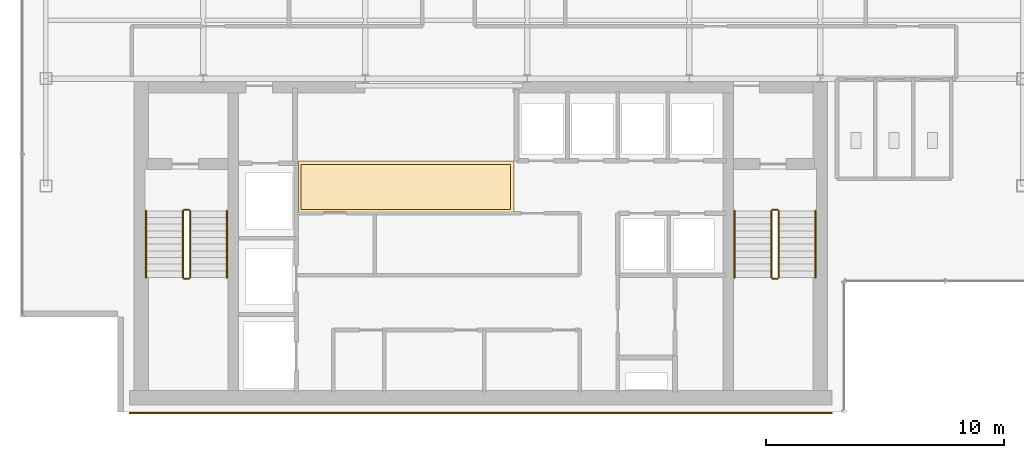
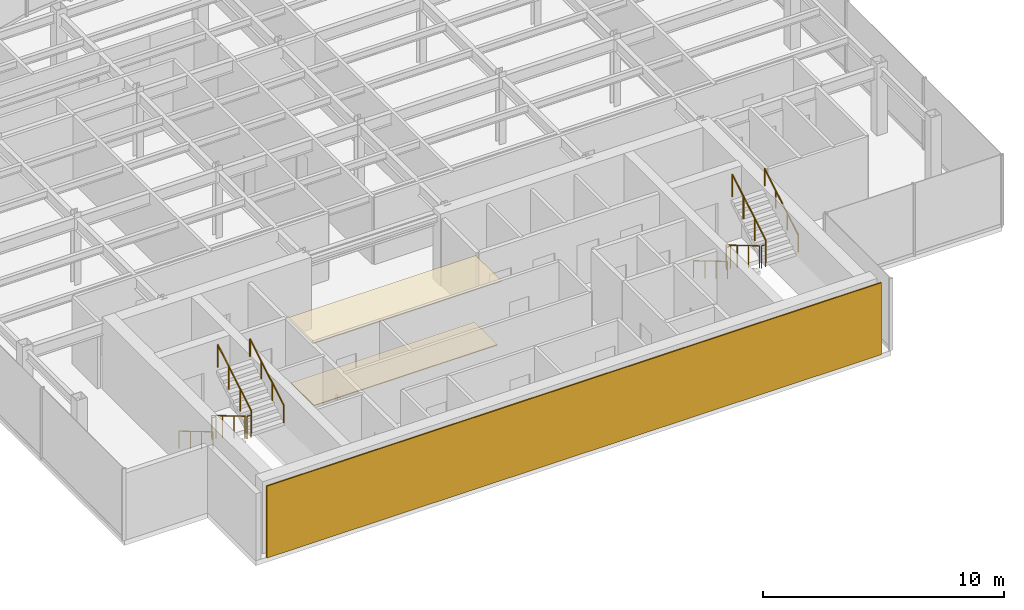
# One storey, part 20 of 22: 12 railings, 3 coverings.
"""IFC4 building model written with IfcOpenShell, lengths in metres."""

from ifc_helpers import new_model, si_unit, derived_unit, direction, frame, origin, origin_2d, place, context, subcontext, project, spatial, polyline, rectangle, circle, outline, extrude, source, transform, mapped, material, layer, layer_set, type_object, element, save


model = new_model("IFC4")

# Units and contexts
model_context = context("Model", 3, precision=1e-05, world=origin(), true_north=direction((0.0, 1.0)))
body_context = subcontext(model_context, "Body", "Model", "MODEL_VIEW")
ifc_project = project(units=[si_unit("LENGTHUNIT", "METRE"), si_unit("AREAUNIT", "SQUARE_METRE"), si_unit("VOLUMEUNIT", "CUBIC_METRE"), si_unit("PLANEANGLEUNIT", "RADIAN"), si_unit("MASSUNIT", "GRAM", prefix="KILO"), derived_unit("THERMALTRANSMITTANCEUNIT", [(si_unit("POWERUNIT", "WATT"), 1), (si_unit("LENGTHUNIT", "METRE"), -2), (si_unit("THERMODYNAMICTEMPERATUREUNIT", "KELVIN"), -1)])], contexts=[model_context])

# Site, building, storey
site_placement = place(None, origin())
site = spatial("IfcSite", under=ifc_project, at=site_placement, CompositionType="ELEMENT")
building_placement = place(site_placement, origin())
building = spatial("IfcBuilding", under=site, at=building_placement, Name="Skarnbrae Concourse Arena and Tower", CompositionType="ELEMENT")
storey_placement = place(building_placement, frame((0.0, 0.0, 192.25)))
storey = spatial("IfcBuildingStorey", under=building, at=storey_placement, Name="L49", CompositionType="ELEMENT", Elevation=192.25)

# Coverings
ifc_material_1 = material(Name="Mineral fibre acoustic ceiling tile", Category="other")
ifc_layer_1 = layer(ifc_material_1, 0.0400390625)
ifc_layer_set_1 = layer_set([ifc_layer_1], Name="Mineral fibre acoustic ceiling tile")
covering_type_1 = type_object("IfcCoveringType", Name="COV-CEIL-ACOUSTIC", PredefinedType="CEILING", material=ifc_layer_set_1)
covering_1_placement = place(storey_placement, frame((0.0, 0.0, 3.239990234375)))
element("IfcCovering", 1, at=covering_1_placement, inside=storey, type_object=covering_type_1, Name="L49 Lift lobby acoustic ceiling", PredefinedType="CEILING", context=body_context, shape_type="SweptSolid", body=[
    extrude(outline(polyline([(11.60009765625, 8.39990234375), (20.64990234375, 8.39990234375), (20.64990234375, 10.550048828125), (11.60009765625, 10.550048828125), (11.60009765625, 8.39990234375)])), origin(), (0.0, 0.0, 1.0), 0.0400390625),
])
ifc_material_2 = material(Name="Polished granite terrazzo flooring", Category="masonry")
ifc_layer_2 = layer(ifc_material_2, 0.0400390625)
ifc_layer_set_2 = layer_set([ifc_layer_2], Name="Polished granite terrazzo flooring")
covering_type_2 = type_object("IfcCoveringType", Name="COV-FLOOR-TERRAZZO", PredefinedType="FLOORING", material=ifc_layer_set_2)
covering_2_placement = place(storey_placement, origin())
element("IfcCovering", 2, at=covering_2_placement, inside=storey, type_object=covering_type_2, Name="L49 Lift lobby terrazzo flooring", PredefinedType="FLOORING", context=body_context, shape_type="SweptSolid", body=[
    extrude(outline(polyline([(11.699951171875, 8.5), (20.5, 8.5), (20.5, 10.39990234375), (11.699951171875, 10.39990234375), (11.699951171875, 8.5)])), origin(), (0.0, 0.0, 1.0), 0.0400390625),
])

# Railings
ifc_material_3 = material(Name="Steel CSA G40.21 350W", Category="steel")
railing_type_1 = type_object("IfcRailingType", Name="RAIL-HANDRAIL-900", PredefinedType="HANDRAIL", material=ifc_material_3)
railing_1_placement = place(storey_placement, frame((5.199951171875, 8.449951171875, 0.166015625)))
element("IfcRailing", 3, at=railing_1_placement, inside=storey, type_object=railing_type_1, Name="L49 ST-1 stair handrail 1", PredefinedType="HANDRAIL", context=body_context, shape_type="SweptSolid", body=[
    extrude(circle(Radius=0.02392578125, at=origin_2d()), frame((0.0, 0.0, 0.8759765625), z_axis=(0.0, -0.860339051648, 0.50972219513), x_axis=(1.0, 0.0, 0.0)), (0.0, 0.0, 1.0), 3.254638671875),
    extrude(circle(Radius=0.02099609375, at=origin_2d()), origin(), (0.0, 0.0, 1.0), 0.851806640625),
    extrude(circle(Radius=0.02099609375, at=origin_2d()), frame((0.0, -0.933349609375, 0.552978515625)), (0.0, 0.0, 1.0), 0.851806640625),
    extrude(circle(Radius=0.02099609375, at=origin_2d()), frame((0.0, -1.86669921875, 1.10595703125)), (0.0, 0.0, 1.0), 0.851806640625),
    extrude(circle(Radius=0.02099609375, at=origin_2d()), frame((0.0, -2.800048828125, 1.658935546875)), (0.0, 0.0, 1.0), 0.851806640625),
])
railing_2_placement = place(storey_placement, frame((8.60009765625, 5.64990234375, 1.990966796875)))
element("IfcRailing", 4, at=railing_2_placement, inside=storey, type_object=railing_type_1, Name="L49 ST-1 stair handrail 2", PredefinedType="HANDRAIL", context=body_context, shape_type="SweptSolid", body=[
    extrude(circle(Radius=0.02392578125, at=origin_2d()), frame((0.0, 0.0, 0.8759765625), z_axis=(0.0, 0.860339051648, 0.50972219513), x_axis=(-1.0, 0.0, 0.0)), (0.0, 0.0, 1.0), 3.254638671875),
    extrude(circle(Radius=0.02099609375, at=origin_2d()), origin(), (0.0, 0.0, 1.0), 0.851806640625),
    extrude(circle(Radius=0.02099609375, at=origin_2d()), frame((0.0, 0.933349609375, 0.552978515625)), (0.0, 0.0, 1.0), 0.851806640625),
    extrude(circle(Radius=0.02099609375, at=origin_2d()), frame((0.0, 1.86669921875, 1.10595703125)), (0.0, 0.0, 1.0), 0.851806640625),
    extrude(circle(Radius=0.02099609375, at=origin_2d()), frame((0.0, 2.800048828125, 1.658935546875)), (0.0, 0.0, 1.0), 0.851806640625),
])
railing_3_placement = place(storey_placement, frame((29.89990234375, 8.449951171875, 0.166015625)))
element("IfcRailing", 5, at=railing_3_placement, inside=storey, type_object=railing_type_1, Name="L49 ST-2 stair handrail 1", PredefinedType="HANDRAIL", context=body_context, shape_type="SweptSolid", body=[
    extrude(circle(Radius=0.02392578125, at=origin_2d()), frame((0.0, 0.0, 0.8759765625), z_axis=(0.0, -0.860339051648, 0.50972219513), x_axis=(1.0, 0.0, 0.0)), (0.0, 0.0, 1.0), 3.254638671875),
    extrude(circle(Radius=0.02099609375, at=origin_2d()), origin(), (0.0, 0.0, 1.0), 0.851806640625),
    extrude(circle(Radius=0.02099609375, at=origin_2d()), frame((0.0, -0.933349609375, 0.552978515625)), (0.0, 0.0, 1.0), 0.851806640625),
    extrude(circle(Radius=0.02099609375, at=origin_2d()), frame((0.0, -1.86669921875, 1.10595703125)), (0.0, 0.0, 1.0), 0.851806640625),
    extrude(circle(Radius=0.02099609375, at=origin_2d()), frame((0.0, -2.800048828125, 1.658935546875)), (0.0, 0.0, 1.0), 0.851806640625),
])
railing_4_placement = place(storey_placement, frame((33.300048828125, 5.64990234375, 1.990966796875)))
element("IfcRailing", 6, at=railing_4_placement, inside=storey, type_object=railing_type_1, Name="L49 ST-2 stair handrail 2", PredefinedType="HANDRAIL", context=body_context, shape_type="SweptSolid", body=[
    extrude(circle(Radius=0.02392578125, at=origin_2d()), frame((0.0, 0.0, 0.8759765625), z_axis=(0.0, 0.860339051648, 0.50972219513), x_axis=(-1.0, 0.0, 0.0)), (0.0, 0.0, 1.0), 3.254638671875),
    extrude(circle(Radius=0.02099609375, at=origin_2d()), origin(), (0.0, 0.0, 1.0), 0.851806640625),
    extrude(circle(Radius=0.02099609375, at=origin_2d()), frame((0.0, 0.933349609375, 0.552978515625)), (0.0, 0.0, 1.0), 0.851806640625),
    extrude(circle(Radius=0.02099609375, at=origin_2d()), frame((0.0, 1.86669921875, 1.10595703125)), (0.0, 0.0, 1.0), 0.851806640625),
    extrude(circle(Radius=0.02099609375, at=origin_2d()), frame((0.0, 2.800048828125, 1.658935546875)), (0.0, 0.0, 1.0), 0.851806640625),
])
railing_type_2 = type_object("IfcRailingType", Name="RAIL-STAIR-GUARD-1150", PredefinedType="GUARDRAIL", material=ifc_material_3)
railing_5_placement = place(storey_placement, frame((6.75, 8.449951171875, 0.166015625)))
element("IfcRailing", 7, at=railing_5_placement, inside=storey, type_object=railing_type_2, Name="L49 ST-1 stair guard 1", PredefinedType="GUARDRAIL", context=body_context, shape_type="SweptSolid", body=[
    extrude(circle(Radius=0.02392578125, at=origin_2d()), frame((0.0, 0.0, 1.1259765625), z_axis=(0.0, -0.860339051648, 0.50972219513), x_axis=(1.0, 0.0, 0.0)), (0.0, 0.0, 1.0), 3.254638671875),
    extrude(circle(Radius=0.02099609375, at=origin_2d()), origin(), (0.0, 0.0, 1.0), 1.101806640625),
    extrude(circle(Radius=0.02099609375, at=origin_2d()), frame((0.0, -0.933349609375, 0.552978515625)), (0.0, 0.0, 1.0), 1.101806640625),
    extrude(circle(Radius=0.02099609375, at=origin_2d()), frame((0.0, -1.86669921875, 1.10595703125)), (0.0, 0.0, 1.0), 1.101806640625),
    extrude(circle(Radius=0.02099609375, at=origin_2d()), frame((0.0, -2.800048828125, 1.658935546875)), (0.0, 0.0, 1.0), 1.101806640625),
])
railing_6_placement = place(storey_placement, frame((6.800048828125, 5.60009765625, 1.824951171875)))
element("IfcRailing", 8, at=railing_6_placement, inside=storey, type_object=railing_type_2, Name="L49 ST-1 stair guard 2", PredefinedType="GUARDRAIL", context=body_context, shape_type="SweptSolid", body=[
    extrude(circle(Radius=0.02392578125, at=origin_2d()), frame((0.0, 0.0, 1.1259765625), z_axis=(1.0, 0.0, 0.0), x_axis=(0.0, 1.0, 0.0)), (0.0, 0.0, 1.0), 0.199951171875),
    extrude(circle(Radius=0.02099609375, at=origin_2d()), origin(), (0.0, 0.0, 1.0), 1.101806640625),
    extrude(circle(Radius=0.02099609375, at=origin_2d()), frame((0.199951171875, 0.0, 0.0)), (0.0, 0.0, 1.0), 1.101806640625),
])
railing_7_placement = place(storey_placement, frame((7.050048828125, 5.64990234375, 1.990966796875)))
element("IfcRailing", 9, at=railing_7_placement, inside=storey, type_object=railing_type_2, Name="L49 ST-1 stair guard 3", PredefinedType="GUARDRAIL", context=body_context, shape_type="SweptSolid", body=[
    extrude(circle(Radius=0.02392578125, at=origin_2d()), frame((0.0, 0.0, 1.1259765625), z_axis=(0.0, 0.860339051648, 0.50972219513), x_axis=(-1.0, 0.0, 0.0)), (0.0, 0.0, 1.0), 3.254638671875),
    extrude(circle(Radius=0.02099609375, at=origin_2d()), origin(), (0.0, 0.0, 1.0), 1.101806640625),
    extrude(circle(Radius=0.02099609375, at=origin_2d()), frame((0.0, 0.933349609375, 0.552978515625)), (0.0, 0.0, 1.0), 1.101806640625),
    extrude(circle(Radius=0.02099609375, at=origin_2d()), frame((0.0, 1.86669921875, 1.10595703125)), (0.0, 0.0, 1.0), 1.101806640625),
    extrude(circle(Radius=0.02099609375, at=origin_2d()), frame((0.0, 2.800048828125, 1.658935546875)), (0.0, 0.0, 1.0), 1.101806640625),
])
railing_8_placement = place(storey_placement, frame((6.800048828125, 8.5, 0.0)))
element("IfcRailing", 10, at=railing_8_placement, inside=storey, type_object=railing_type_2, Name="L49 ST-1 stair guard 4", PredefinedType="GUARDRAIL", context=body_context, shape_type="SweptSolid", body=[
    extrude(circle(Radius=0.02392578125, at=origin_2d()), frame((0.0, 0.0, 1.1259765625), z_axis=(1.0, 0.0, 0.0), x_axis=(0.0, 1.0, 0.0)), (0.0, 0.0, 1.0), 0.199951171875),
    extrude(circle(Radius=0.02099609375, at=origin_2d()), origin(), (0.0, 0.0, 1.0), 1.101806640625),
    extrude(circle(Radius=0.02099609375, at=origin_2d()), frame((0.199951171875, 0.0, 0.0)), (0.0, 0.0, 1.0), 1.101806640625),
])
railing_9_placement = place(storey_placement, frame((31.449951171875, 8.449951171875, 0.166015625)))
element("IfcRailing", 11, at=railing_9_placement, inside=storey, type_object=railing_type_2, Name="L49 ST-2 stair guard 1", PredefinedType="GUARDRAIL", context=body_context, shape_type="SweptSolid", body=[
    extrude(circle(Radius=0.02392578125, at=origin_2d()), frame((0.0, 0.0, 1.1259765625), z_axis=(0.0, -0.860339051648, 0.50972219513), x_axis=(1.0, 0.0, 0.0)), (0.0, 0.0, 1.0), 3.254638671875),
    extrude(circle(Radius=0.02099609375, at=origin_2d()), origin(), (0.0, 0.0, 1.0), 1.101806640625),
    extrude(circle(Radius=0.02099609375, at=origin_2d()), frame((0.0, -0.933349609375, 0.552978515625)), (0.0, 0.0, 1.0), 1.101806640625),
    extrude(circle(Radius=0.02099609375, at=origin_2d()), frame((0.0, -1.86669921875, 1.10595703125)), (0.0, 0.0, 1.0), 1.101806640625),
    extrude(circle(Radius=0.02099609375, at=origin_2d()), frame((0.0, -2.800048828125, 1.658935546875)), (0.0, 0.0, 1.0), 1.101806640625),
])
railing_10_placement = place(storey_placement, frame((31.5, 5.60009765625, 1.824951171875)))
element("IfcRailing", 12, at=railing_10_placement, inside=storey, type_object=railing_type_2, Name="L49 ST-2 stair guard 2", PredefinedType="GUARDRAIL", context=body_context, shape_type="SweptSolid", body=[
    extrude(circle(Radius=0.02392578125, at=origin_2d()), frame((0.0, 0.0, 1.1259765625), z_axis=(1.0, 0.0, 0.0), x_axis=(0.0, 1.0, 0.0)), (0.0, 0.0, 1.0), 0.199951171875),
    extrude(circle(Radius=0.02099609375, at=origin_2d()), origin(), (0.0, 0.0, 1.0), 1.101806640625),
    extrude(circle(Radius=0.02099609375, at=origin_2d()), frame((0.199951171875, 0.0, 0.0)), (0.0, 0.0, 1.0), 1.101806640625),
])
railing_11_placement = place(storey_placement, frame((31.75, 5.64990234375, 1.990966796875)))
element("IfcRailing", 13, at=railing_11_placement, inside=storey, type_object=railing_type_2, Name="L49 ST-2 stair guard 3", PredefinedType="GUARDRAIL", context=body_context, shape_type="SweptSolid", body=[
    extrude(circle(Radius=0.02392578125, at=origin_2d()), frame((0.0, 0.0, 1.1259765625), z_axis=(0.0, 0.860339051648, 0.50972219513), x_axis=(-1.0, 0.0, 0.0)), (0.0, 0.0, 1.0), 3.254638671875),
    extrude(circle(Radius=0.02099609375, at=origin_2d()), origin(), (0.0, 0.0, 1.0), 1.101806640625),
    extrude(circle(Radius=0.02099609375, at=origin_2d()), frame((0.0, 0.933349609375, 0.552978515625)), (0.0, 0.0, 1.0), 1.101806640625),
    extrude(circle(Radius=0.02099609375, at=origin_2d()), frame((0.0, 1.86669921875, 1.10595703125)), (0.0, 0.0, 1.0), 1.101806640625),
    extrude(circle(Radius=0.02099609375, at=origin_2d()), frame((0.0, 2.800048828125, 1.658935546875)), (0.0, 0.0, 1.0), 1.101806640625),
])
railing_12_placement = place(storey_placement, frame((31.5, 8.5, 0.0)))
element("IfcRailing", 14, at=railing_12_placement, inside=storey, type_object=railing_type_2, Name="L49 ST-2 stair guard 4", PredefinedType="GUARDRAIL", context=body_context, shape_type="SweptSolid", body=[
    extrude(circle(Radius=0.02392578125, at=origin_2d()), frame((0.0, 0.0, 1.1259765625), z_axis=(1.0, 0.0, 0.0), x_axis=(0.0, 1.0, 0.0)), (0.0, 0.0, 1.0), 0.199951171875),
    extrude(circle(Radius=0.02099609375, at=origin_2d()), origin(), (0.0, 0.0, 1.0), 1.101806640625),
    extrude(circle(Radius=0.02099609375, at=origin_2d()), frame((0.199951171875, 0.0, 0.0)), (0.0, 0.0, 1.0), 1.101806640625),
])

# Covering
ifc_material_4 = material(Name="Bronze anodised aluminium 6063-T6", Category="aluminium")
ifc_layer_3 = layer(ifc_material_4, 0.06005859375)
ifc_layer_set_3 = layer_set([ifc_layer_3], Name="Bronze anodised aluminium 6063-T6")
covering_type_3 = type_object("IfcCoveringType", Name="COV-CLAD-BRONZE-60", PredefinedType="CLADDING", material=ifc_layer_set_3)
shared_shape = source(origin(), body_context, "Body", "SweptSolid", [
    extrude(rectangle(XDim=29.5, YDim=0.06005859375, at=origin_2d()), origin(), (0.0, 0.0, 1.0), 3.64990234375),
])
covering_3_placement = place(storey_placement, frame((19.25, -0.030029296875, 0.0), z_axis=(0.0, 0.0, 1.0), x_axis=(1.0, 0.0, 0.0)))
element("IfcCovering", 15, at=covering_3_placement, inside=storey, type_object=covering_type_3, Name="L49 Rear-core plumb spine bronze rainscreen panel", PredefinedType="CLADDING", context=body_context, shape_type="MappedRepresentation", body=[
    mapped(shared_shape, transform((0.0, 0.0, 0.0))),
])

save(model, "model.ifc")
